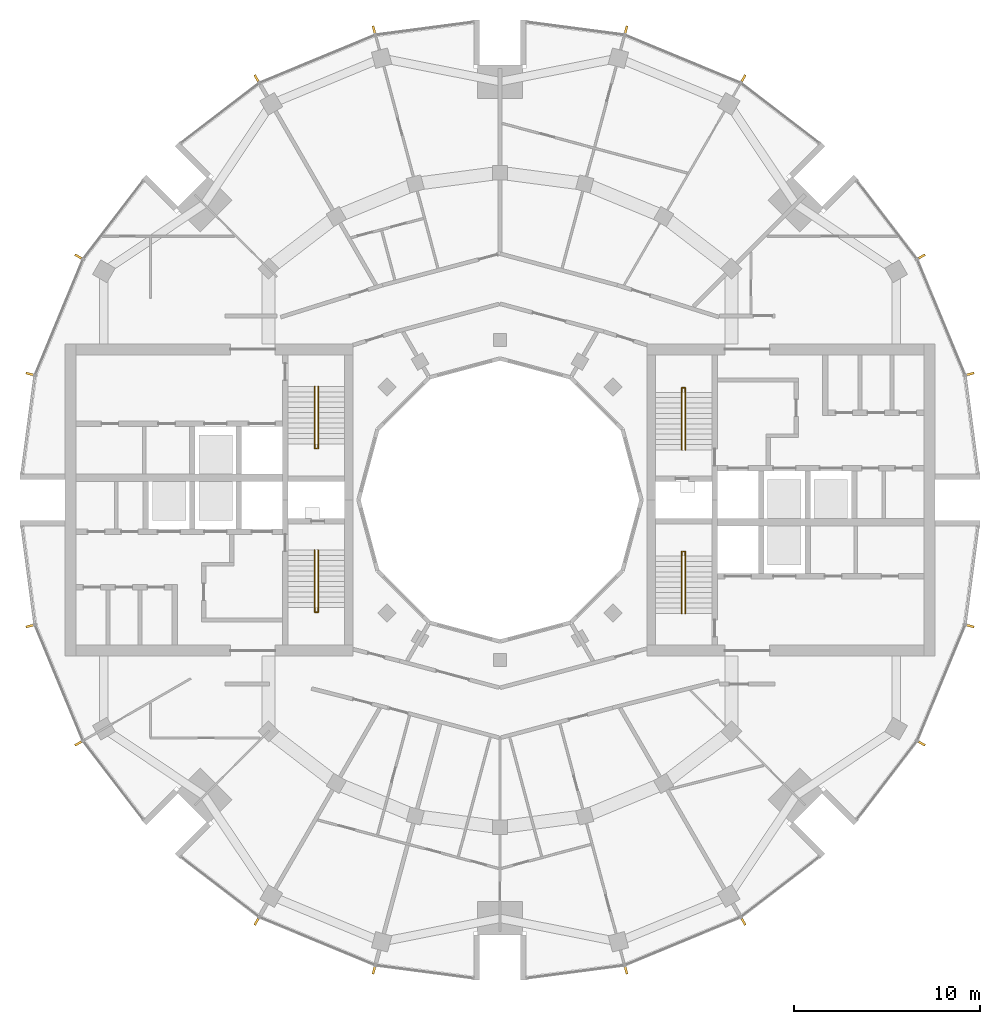
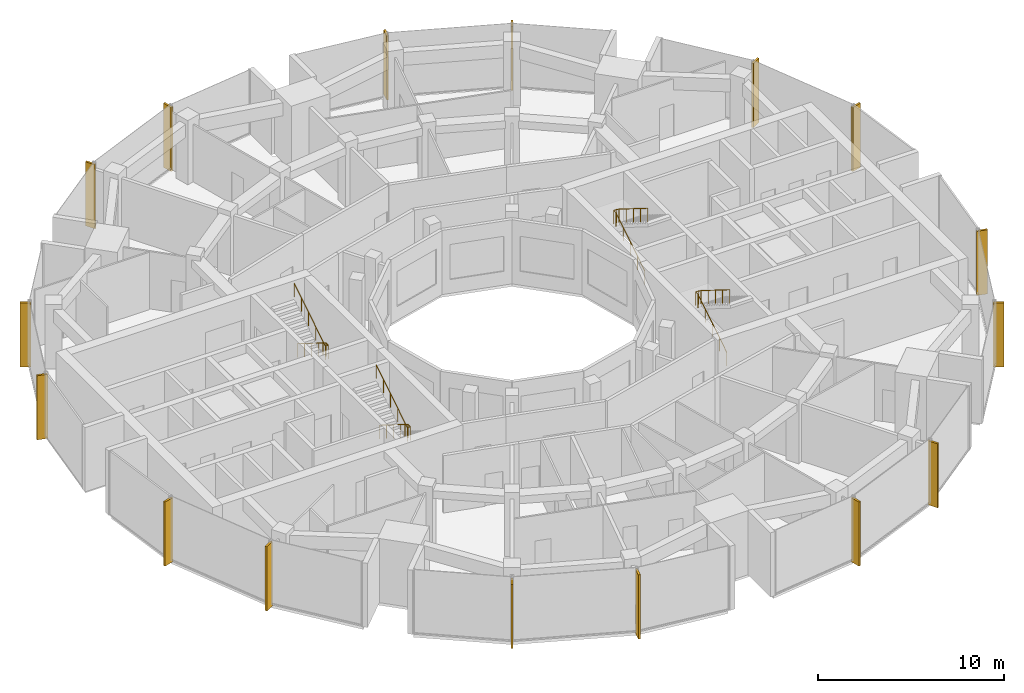
# One storey, part 14 of 15: 16 shading devices, 4 railings.
"""IFC4 building model written with IfcOpenShell, lengths in metres."""

from ifc_helpers import new_model, si_unit, direction, frame, origin, origin_2d, place, context, subcontext, project, spatial, rectangle, circle, extrude, material, material_profile, profile_set, type_object, element, save


model = new_model("IFC4")

# Units and contexts
model_context = context("Model", 3, precision=1e-05, world=origin(), true_north=direction((0.0, 1.0)))
body_context = subcontext(model_context, "Body", "Model", "MODEL_VIEW")
ifc_project = project(units=[si_unit("LENGTHUNIT", "METRE"), si_unit("AREAUNIT", "SQUARE_METRE"), si_unit("VOLUMEUNIT", "CUBIC_METRE"), si_unit("PLANEANGLEUNIT", "RADIAN"), si_unit("MASSUNIT", "GRAM", prefix="KILO")], contexts=[model_context])

# Site, building, storey
site_placement = place(None, origin())
site = spatial("IfcSite", under=ifc_project, at=site_placement, CompositionType="ELEMENT")
building_placement = place(site_placement, origin())
building = spatial("IfcBuilding", under=site, at=building_placement, Name="Torre Brocal", CompositionType="ELEMENT")
storey_placement = place(building_placement, frame((0.0, 0.0, 212.5)))
storey = spatial("IfcBuildingStorey", under=building, at=storey_placement, Name="L49", CompositionType="ELEMENT", Elevation=212.5)

# Shading devices
ifc_material_1 = material(Name="Aluminium, black anodised", Category="aluminium")
ifc_material_profile = material_profile(ifc_material_1, rectangle(XDim=0.1201171875, YDim=0.60009765625, at=origin_2d()), Name="FIN 120X600 4200 HIGH")
ifc_profile_set = profile_set([ifc_material_profile], Name="Aluminium, black anodised")
shading_device_type = type_object("IfcShadingDeviceType", Name="FIN 120X600 4200 HIGH", PredefinedType="USERDEFINED", material=ifc_profile_set)
for number, where, z_axis, x_axis, name in (
    (1, (105.208984375, 81.754638671875, -0.14990234375), (0.0, 0.0, 1.0), (-0.258819045103, 0.965925826289, 0.0), "FIN"),
    (2, (102.601806640625, 88.049072265625, -0.14990234375), (0.0, 0.0, 1.0), (-0.5, 0.866025403784, 0.0), "FIN"),
    (3, (93.049072265625, 97.601806640625, -0.14990234375), (0.0, 0.0, 1.0), (-0.866025403784, 0.5, 0.0), "FIN"),
    (4, (86.754638671875, 100.208984375, -0.14990234375), (0.0, 0.0, 1.0), (-0.965925826289, 0.258819045103, 0.0), "FIN"),
    (5, (73.245361328125, 100.208984375, -0.14990234375), (0.0, 0.0, 1.0), (-0.965925826289, -0.258819045103, 0.0), "FIN"),
    (6, (66.950927734375, 97.601806640625, -0.14990234375), (0.0, 0.0, 1.0), (-0.866025403784, -0.5, 0.0), "FIN"),
    (7, (57.398193359375, 88.049072265625, -0.14990234375), (0.0, 0.0, 1.0), (-0.5, -0.866025403784, 0.0), "FIN"),
    (8, (54.791015625, 81.754638671875, -0.14990234375), (0.0, 0.0, 1.0), (-0.258819045103, -0.965925826289, 0.0), "FIN"),
    (9, (54.791015625, 68.245361328125, -0.14990234375), (0.0, 0.0, 1.0), (0.258819045103, -0.965925826289, 0.0), "FIN"),
    (10, (57.398193359375, 61.950927734375, -0.14990234375), (0.0, 0.0, 1.0), (0.5, -0.866025403784, 0.0), "FIN"),
    (11, (66.950927734375, 52.398193359375, -0.14990234375), (0.0, 0.0, 1.0), (0.866025403784, -0.5, 0.0), "FIN"),
    (12, (73.245361328125, 49.791015625, -0.14990234375), (0.0, 0.0, 1.0), (0.965925826289, -0.258819045103, 0.0), "FIN"),
    (13, (86.754638671875, 49.791015625, -0.14990234375), (0.0, 0.0, 1.0), (0.965925826289, 0.258819045103, 0.0), "FIN"),
    (14, (93.049072265625, 52.398193359375, -0.14990234375), (0.0, 0.0, 1.0), (0.866025403784, 0.5, 0.0), "FIN"),
    (15, (102.601806640625, 61.950927734375, -0.14990234375), (0.0, 0.0, 1.0), (0.5, 0.866025403784, 0.0), "FIN"),
    (16, (105.208984375, 68.245361328125, -0.14990234375), (0.0, 0.0, 1.0), (0.258819045103, 0.965925826289, 0.0), "FIN"),
):
    element("IfcShadingDevice", number, at=place(storey_placement, frame(where, z_axis=z_axis, x_axis=x_axis)), inside=storey, type_object=shading_device_type, Name=name, ObjectType="FIN", PredefinedType="USERDEFINED", context=body_context, shape_type="SweptSolid", body=[
        extrude(rectangle(XDim=0.1201171875, YDim=0.60009765625, at=origin_2d()), origin(), (0.0, 0.0, 1.0), 4.199951171875),
    ])

# Railings
ifc_material_2 = material(Name="Stainless steel AISI 316", Category="steel")
railing_type = type_object("IfcRailingType", Name="STAIR HANDRAIL", PredefinedType="HANDRAIL", material=ifc_material_2)
railing_1_placement = place(storey_placement, frame((89.780029296875, 77.699951171875, 0.175048828125)))
element("IfcRailing", 17, at=railing_1_placement, inside=storey, type_object=railing_type, Name="HANDRAIL ST1", PredefinedType="HANDRAIL", context=body_context, shape_type="SweptSolid", body=[
    extrude(circle(Radius=0.02392578125, at=origin_2d()), frame((0.0, 0.0, 0.8759765625), z_axis=(0.0, 0.847998304005, 0.529998940003), x_axis=(-1.0, 0.0, 0.0)), (0.0, 0.0, 1.0), 3.632080078125),
    extrude(circle(Radius=0.02392578125, at=origin_2d()), frame((0.0, 3.080078125, 2.80078125), z_axis=(0.0, 1.0, 0.0), x_axis=(-1.0, 0.0, 0.0)), (0.0, 0.0, 1.0), 0.25),
    extrude(circle(Radius=0.02392578125, at=origin_2d()), frame((0.0, 3.330078125, 2.80078125), z_axis=(1.0, 0.0, 0.0), x_axis=(0.0, 1.0, 0.0)), (0.0, 0.0, 1.0), 0.18994140625),
    extrude(circle(Radius=0.02392578125, at=origin_2d()), frame((0.18994140625, 3.330078125, 2.80078125), z_axis=(0.0, -0.81953260104, 0.573032560883), x_axis=(1.0, 0.0, 0.0)), (0.0, 0.0, 1.0), 0.304931640625),
    extrude(circle(Radius=0.02392578125, at=origin_2d()), frame((0.18994140625, 3.080078125, 2.9755859375), z_axis=(0.0, -0.847998304005, 0.529998940003), x_axis=(1.0, 0.0, 0.0)), (0.0, 0.0, 1.0), 3.632080078125),
    extrude(circle(Radius=0.02099609375, at=origin_2d()), origin(), (0.0, 0.0, 1.0), 0.851806640625),
    extrude(circle(Radius=0.02099609375, at=origin_2d()), frame((0.0, 0.77001953125, 0.481201171875)), (0.0, 0.0, 1.0), 0.851806640625),
    extrude(circle(Radius=0.02099609375, at=origin_2d()), frame((0.0, 1.5400390625, 0.96240234375)), (0.0, 0.0, 1.0), 0.851806640625),
    extrude(circle(Radius=0.02099609375, at=origin_2d()), frame((0.0, 2.31005859375, 1.44384765625)), (0.0, 0.0, 1.0), 0.851806640625),
    extrude(circle(Radius=0.02099609375, at=origin_2d()), frame((0.0, 3.080078125, 1.925048828125)), (0.0, 0.0, 1.0), 0.851806640625),
    extrude(circle(Radius=0.02099609375, at=origin_2d()), frame((0.0, 3.330078125, 1.925048828125)), (0.0, 0.0, 1.0), 0.851806640625),
    extrude(circle(Radius=0.02099609375, at=origin_2d()), frame((0.18994140625, 3.330078125, 1.925048828125)), (0.0, 0.0, 1.0), 0.851806640625),
    extrude(circle(Radius=0.02099609375, at=origin_2d()), frame((0.18994140625, 3.080078125, 2.099853515625)), (0.0, 0.0, 1.0), 0.851806640625),
    extrude(circle(Radius=0.02099609375, at=origin_2d()), frame((0.18994140625, 2.31005859375, 2.5810546875)), (0.0, 0.0, 1.0), 0.851806640625),
    extrude(circle(Radius=0.02099609375, at=origin_2d()), frame((0.18994140625, 1.5400390625, 3.0625)), (0.0, 0.0, 1.0), 0.851806640625),
    extrude(circle(Radius=0.02099609375, at=origin_2d()), frame((0.18994140625, 0.77001953125, 3.543701171875)), (0.0, 0.0, 1.0), 0.851806640625),
    extrude(circle(Radius=0.02099609375, at=origin_2d()), frame((0.18994140625, 0.0, 4.02490234375)), (0.0, 0.0, 1.0), 0.851806640625),
])
railing_2_placement = place(storey_placement, frame((89.780029296875, 68.89990234375, 0.175048828125)))
element("IfcRailing", 18, at=railing_2_placement, inside=storey, type_object=railing_type, Name="HANDRAIL ST2", PredefinedType="HANDRAIL", context=body_context, shape_type="SweptSolid", body=[
    extrude(circle(Radius=0.02392578125, at=origin_2d()), frame((0.0, 0.0, 0.8759765625), z_axis=(0.0, 0.847998304005, 0.529998940003), x_axis=(-1.0, 0.0, 0.0)), (0.0, 0.0, 1.0), 3.632080078125),
    extrude(circle(Radius=0.02392578125, at=origin_2d()), frame((0.0, 3.080078125, 2.80078125), z_axis=(0.0, 1.0, 0.0), x_axis=(-1.0, 0.0, 0.0)), (0.0, 0.0, 1.0), 0.25),
    extrude(circle(Radius=0.02392578125, at=origin_2d()), frame((0.0, 3.330078125, 2.80078125), z_axis=(1.0, 0.0, 0.0), x_axis=(0.0, 1.0, 0.0)), (0.0, 0.0, 1.0), 0.18994140625),
    extrude(circle(Radius=0.02392578125, at=origin_2d()), frame((0.18994140625, 3.330078125, 2.80078125), z_axis=(0.0, -0.81953260104, 0.573032560883), x_axis=(1.0, 0.0, 0.0)), (0.0, 0.0, 1.0), 0.304931640625),
    extrude(circle(Radius=0.02392578125, at=origin_2d()), frame((0.18994140625, 3.080078125, 2.9755859375), z_axis=(0.0, -0.847998304005, 0.529998940003), x_axis=(1.0, 0.0, 0.0)), (0.0, 0.0, 1.0), 3.632080078125),
    extrude(circle(Radius=0.02099609375, at=origin_2d()), origin(), (0.0, 0.0, 1.0), 0.851806640625),
    extrude(circle(Radius=0.02099609375, at=origin_2d()), frame((0.0, 0.77001953125, 0.481201171875)), (0.0, 0.0, 1.0), 0.851806640625),
    extrude(circle(Radius=0.02099609375, at=origin_2d()), frame((0.0, 1.5400390625, 0.96240234375)), (0.0, 0.0, 1.0), 0.851806640625),
    extrude(circle(Radius=0.02099609375, at=origin_2d()), frame((0.0, 2.31005859375, 1.44384765625)), (0.0, 0.0, 1.0), 0.851806640625),
    extrude(circle(Radius=0.02099609375, at=origin_2d()), frame((0.0, 3.080078125, 1.925048828125)), (0.0, 0.0, 1.0), 0.851806640625),
    extrude(circle(Radius=0.02099609375, at=origin_2d()), frame((0.0, 3.330078125, 1.925048828125)), (0.0, 0.0, 1.0), 0.851806640625),
    extrude(circle(Radius=0.02099609375, at=origin_2d()), frame((0.18994140625, 3.330078125, 1.925048828125)), (0.0, 0.0, 1.0), 0.851806640625),
    extrude(circle(Radius=0.02099609375, at=origin_2d()), frame((0.18994140625, 3.080078125, 2.099853515625)), (0.0, 0.0, 1.0), 0.851806640625),
    extrude(circle(Radius=0.02099609375, at=origin_2d()), frame((0.18994140625, 2.31005859375, 2.5810546875)), (0.0, 0.0, 1.0), 0.851806640625),
    extrude(circle(Radius=0.02099609375, at=origin_2d()), frame((0.18994140625, 1.5400390625, 3.0625)), (0.0, 0.0, 1.0), 0.851806640625),
    extrude(circle(Radius=0.02099609375, at=origin_2d()), frame((0.18994140625, 0.77001953125, 3.543701171875)), (0.0, 0.0, 1.0), 0.851806640625),
    extrude(circle(Radius=0.02099609375, at=origin_2d()), frame((0.18994140625, 0.0, 4.02490234375)), (0.0, 0.0, 1.0), 0.851806640625),
])
railing_3_placement = place(storey_placement, frame((70.219970703125, 72.300048828125, 0.175048828125)))
element("IfcRailing", 19, at=railing_3_placement, inside=storey, type_object=railing_type, Name="HANDRAIL ST3", PredefinedType="HANDRAIL", context=body_context, shape_type="SweptSolid", body=[
    extrude(circle(Radius=0.02392578125, at=origin_2d()), frame((0.0, 0.0, 0.8759765625), z_axis=(0.0, -0.847998304005, 0.529998940003), x_axis=(1.0, 0.0, 0.0)), (0.0, 0.0, 1.0), 3.632080078125),
    extrude(circle(Radius=0.02392578125, at=origin_2d()), frame((0.0, -3.080078125, 2.80078125), z_axis=(0.0, -1.0, 0.0), x_axis=(1.0, 0.0, 0.0)), (0.0, 0.0, 1.0), 0.25),
    extrude(circle(Radius=0.02392578125, at=origin_2d()), frame((0.0, -3.330078125, 2.80078125), z_axis=(-1.0, 0.0, 0.0), x_axis=(0.0, -1.0, 0.0)), (0.0, 0.0, 1.0), 0.18994140625),
    extrude(circle(Radius=0.02392578125, at=origin_2d()), frame((-0.18994140625, -3.330078125, 2.80078125), z_axis=(0.0, 0.81953260104, 0.573032560883), x_axis=(-1.0, 0.0, 0.0)), (0.0, 0.0, 1.0), 0.304931640625),
    extrude(circle(Radius=0.02392578125, at=origin_2d()), frame((-0.18994140625, -3.080078125, 2.9755859375), z_axis=(0.0, 0.847998304005, 0.529998940003), x_axis=(-1.0, 0.0, 0.0)), (0.0, 0.0, 1.0), 3.632080078125),
    extrude(circle(Radius=0.02099609375, at=origin_2d()), origin(), (0.0, 0.0, 1.0), 0.851806640625),
    extrude(circle(Radius=0.02099609375, at=origin_2d()), frame((0.0, -0.77001953125, 0.481201171875)), (0.0, 0.0, 1.0), 0.851806640625),
    extrude(circle(Radius=0.02099609375, at=origin_2d()), frame((0.0, -1.5400390625, 0.96240234375)), (0.0, 0.0, 1.0), 0.851806640625),
    extrude(circle(Radius=0.02099609375, at=origin_2d()), frame((0.0, -2.31005859375, 1.44384765625)), (0.0, 0.0, 1.0), 0.851806640625),
    extrude(circle(Radius=0.02099609375, at=origin_2d()), frame((0.0, -3.080078125, 1.925048828125)), (0.0, 0.0, 1.0), 0.851806640625),
    extrude(circle(Radius=0.02099609375, at=origin_2d()), frame((0.0, -3.330078125, 1.925048828125)), (0.0, 0.0, 1.0), 0.851806640625),
    extrude(circle(Radius=0.02099609375, at=origin_2d()), frame((-0.18994140625, -3.330078125, 1.925048828125)), (0.0, 0.0, 1.0), 0.851806640625),
    extrude(circle(Radius=0.02099609375, at=origin_2d()), frame((-0.18994140625, -3.080078125, 2.099853515625)), (0.0, 0.0, 1.0), 0.851806640625),
    extrude(circle(Radius=0.02099609375, at=origin_2d()), frame((-0.18994140625, -2.31005859375, 2.5810546875)), (0.0, 0.0, 1.0), 0.851806640625),
    extrude(circle(Radius=0.02099609375, at=origin_2d()), frame((-0.18994140625, -1.5400390625, 3.0625)), (0.0, 0.0, 1.0), 0.851806640625),
    extrude(circle(Radius=0.02099609375, at=origin_2d()), frame((-0.18994140625, -0.77001953125, 3.543701171875)), (0.0, 0.0, 1.0), 0.851806640625),
    extrude(circle(Radius=0.02099609375, at=origin_2d()), frame((-0.18994140625, 0.0, 4.02490234375)), (0.0, 0.0, 1.0), 0.851806640625),
])
railing_4_placement = place(storey_placement, frame((70.219970703125, 81.10009765625, 0.175048828125)))
element("IfcRailing", 20, at=railing_4_placement, inside=storey, type_object=railing_type, Name="HANDRAIL ST4", PredefinedType="HANDRAIL", context=body_context, shape_type="SweptSolid", body=[
    extrude(circle(Radius=0.02392578125, at=origin_2d()), frame((0.0, 0.0, 0.8759765625), z_axis=(0.0, -0.847998304005, 0.529998940003), x_axis=(1.0, 0.0, 0.0)), (0.0, 0.0, 1.0), 3.632080078125),
    extrude(circle(Radius=0.02392578125, at=origin_2d()), frame((0.0, -3.080078125, 2.80078125), z_axis=(0.0, -1.0, 0.0), x_axis=(1.0, 0.0, 0.0)), (0.0, 0.0, 1.0), 0.25),
    extrude(circle(Radius=0.02392578125, at=origin_2d()), frame((0.0, -3.330078125, 2.80078125), z_axis=(-1.0, 0.0, 0.0), x_axis=(0.0, -1.0, 0.0)), (0.0, 0.0, 1.0), 0.18994140625),
    extrude(circle(Radius=0.02392578125, at=origin_2d()), frame((-0.18994140625, -3.330078125, 2.80078125), z_axis=(0.0, 0.81953260104, 0.573032560883), x_axis=(-1.0, 0.0, 0.0)), (0.0, 0.0, 1.0), 0.304931640625),
    extrude(circle(Radius=0.02392578125, at=origin_2d()), frame((-0.18994140625, -3.080078125, 2.9755859375), z_axis=(0.0, 0.847998304005, 0.529998940003), x_axis=(-1.0, 0.0, 0.0)), (0.0, 0.0, 1.0), 3.632080078125),
    extrude(circle(Radius=0.02099609375, at=origin_2d()), origin(), (0.0, 0.0, 1.0), 0.851806640625),
    extrude(circle(Radius=0.02099609375, at=origin_2d()), frame((0.0, -0.77001953125, 0.481201171875)), (0.0, 0.0, 1.0), 0.851806640625),
    extrude(circle(Radius=0.02099609375, at=origin_2d()), frame((0.0, -1.5400390625, 0.96240234375)), (0.0, 0.0, 1.0), 0.851806640625),
    extrude(circle(Radius=0.02099609375, at=origin_2d()), frame((0.0, -2.31005859375, 1.44384765625)), (0.0, 0.0, 1.0), 0.851806640625),
    extrude(circle(Radius=0.02099609375, at=origin_2d()), frame((0.0, -3.080078125, 1.925048828125)), (0.0, 0.0, 1.0), 0.851806640625),
    extrude(circle(Radius=0.02099609375, at=origin_2d()), frame((0.0, -3.330078125, 1.925048828125)), (0.0, 0.0, 1.0), 0.851806640625),
    extrude(circle(Radius=0.02099609375, at=origin_2d()), frame((-0.18994140625, -3.330078125, 1.925048828125)), (0.0, 0.0, 1.0), 0.851806640625),
    extrude(circle(Radius=0.02099609375, at=origin_2d()), frame((-0.18994140625, -3.080078125, 2.099853515625)), (0.0, 0.0, 1.0), 0.851806640625),
    extrude(circle(Radius=0.02099609375, at=origin_2d()), frame((-0.18994140625, -2.31005859375, 2.5810546875)), (0.0, 0.0, 1.0), 0.851806640625),
    extrude(circle(Radius=0.02099609375, at=origin_2d()), frame((-0.18994140625, -1.5400390625, 3.0625)), (0.0, 0.0, 1.0), 0.851806640625),
    extrude(circle(Radius=0.02099609375, at=origin_2d()), frame((-0.18994140625, -0.77001953125, 3.543701171875)), (0.0, 0.0, 1.0), 0.851806640625),
    extrude(circle(Radius=0.02099609375, at=origin_2d()), frame((-0.18994140625, 0.0, 4.02490234375)), (0.0, 0.0, 1.0), 0.851806640625),
])

save(model, "model.ifc")
